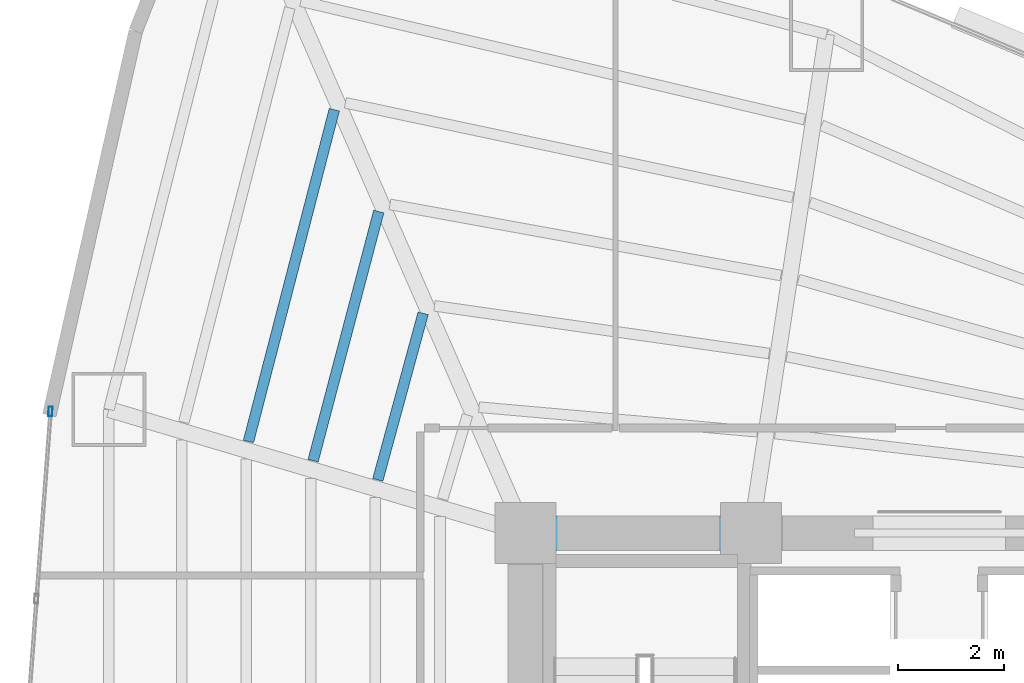
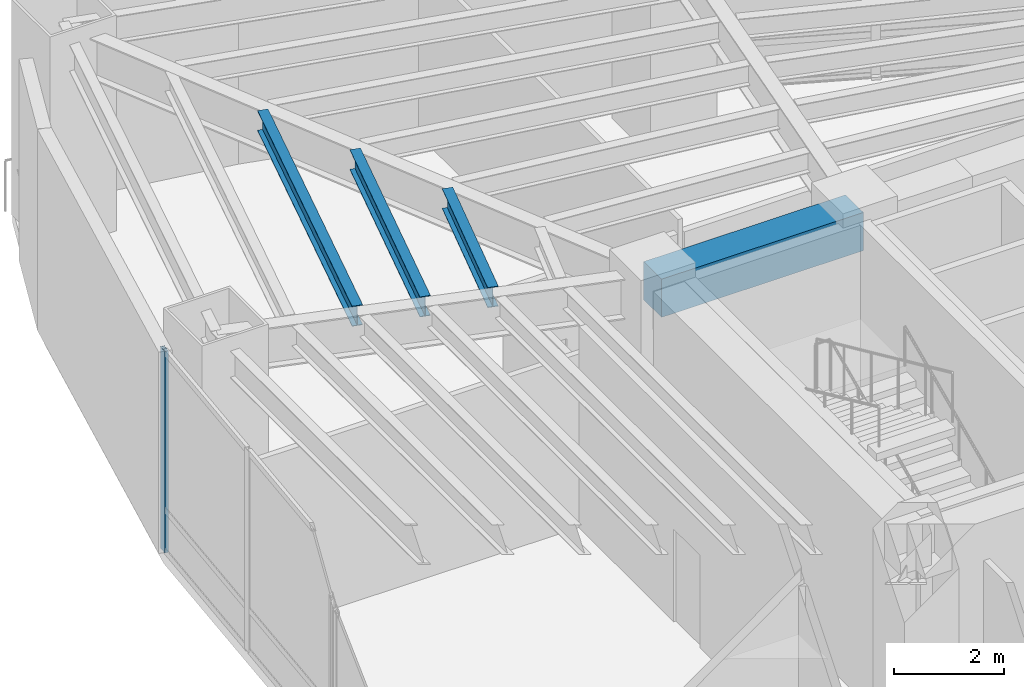
# One storey, part 8 of 18: 4 beams, 1 member, 1 element without a shape of its own.
"""IFC4 building model written with IfcOpenShell, lengths in metres."""

from ifc_helpers import new_model, si_unit, direction, frame, origin, origin_2d, place, context, subcontext, project, spatial, rectangle, hollow_rectangle, i_section, extrude, material, layer, layer_set, material_profile, profile_set, type_object, element, aggregate, save


model = new_model("IFC4")

# Units and contexts
model_context = context("Model", 3, precision=1e-05, world=origin(), true_north=direction((0.0, 1.0)))
body_context = subcontext(model_context, "Body", "Model", "MODEL_VIEW")
ifc_project = project(units=[si_unit("LENGTHUNIT", "METRE"), si_unit("AREAUNIT", "SQUARE_METRE"), si_unit("VOLUMEUNIT", "CUBIC_METRE"), si_unit("PLANEANGLEUNIT", "RADIAN"), si_unit("MASSUNIT", "GRAM", prefix="KILO")], contexts=[model_context])

# Site, building, storey
site_placement = place(None, origin())
site = spatial("IfcSite", under=ifc_project, at=site_placement, CompositionType="ELEMENT")
building_placement = place(site_placement, origin())
building = spatial("IfcBuilding", under=site, at=building_placement, Name="Menara Vayukalpa", CompositionType="ELEMENT")
storey_placement = place(building_placement, frame((0.0, 0.0, 18.0)))
storey = spatial("IfcBuildingStorey", under=building, at=storey_placement, Name="L03", CompositionType="ELEMENT", Elevation=18.0)

# Beams
ifc_material_1 = material(Name="Concrete C60/75", Category="concrete")
ifc_material_profile_1 = material_profile(ifc_material_1, rectangle(XDim=0.64990234375, YDim=0.85009765625, at=origin_2d()), Name="RC 650x850")
ifc_profile_set_1 = profile_set([ifc_material_profile_1], Name="Concrete C60/75")
beam_type_1 = type_object("IfcBeamType", Name="BM-CB1", PredefinedType="BEAM", material=ifc_profile_set_1)
beam_1_placement = place(storey_placement, frame((17.800048828125, 26.800048828125, 4.054931640625), z_axis=(1.0, 0.0, 0.0), x_axis=(0.0, 1.0, 0.0)))
element("IfcBeam", 1, at=beam_1_placement, inside=storey, type_object=beam_type_1, Name="L03 Core Tie Beam CBR4", PredefinedType="BEAM", context=body_context, shape_type="SweptSolid", body=[
    extrude(rectangle(XDim=0.64990234375, YDim=0.85009765625, at=origin_2d()), origin(), (0.0, 0.0, 1.0), 4.25),
])
ifc_material_2 = material(Name="Steel S355", Category="steel")
ifc_material_profile_2 = material_profile(ifc_material_2, i_section(OverallWidth=0.199951171875, OverallDepth=0.449951171875, WebThickness=0.009033203125, FlangeThickness=0.013916015625, at=origin_2d()), Name="WF 450x200x9x14")
ifc_profile_set_2 = profile_set([ifc_material_profile_2], Name="Steel S355")
beam_type_2 = type_object("IfcBeamType", Name="BM-SJ1", PredefinedType="JOIST", material=ifc_profile_set_2)
beam_2_placement = place(storey_placement, frame((15.873779296875, 30.941650390625, 4.2548828125), z_axis=(-0.262945960317, -0.964810562729, 0.0), x_axis=(0.964810562729, -0.262945960317, 0.0)))
element("IfcBeam", 2, at=beam_2_placement, inside=storey, type_object=beam_type_2, Name="L03 Secondary Floor Joist SJ04-2", PredefinedType="JOIST", context=body_context, shape_type="SweptSolid", body=[
    extrude(i_section(OverallWidth=0.199951171875, OverallDepth=0.449951171875, WebThickness=0.009033203125, FlangeThickness=0.013916015625, at=origin_2d()), origin(), (0.0, 0.0, 1.0), 3.25341796875),
])
beam_3_placement = place(storey_placement, frame((15.036865234375, 32.859619140625, 4.2548828125), z_axis=(-0.254819975699, -0.966988510782, 0.0), x_axis=(0.966988510782, -0.254819975699, 0.0)))
element("IfcBeam", 3, at=beam_3_placement, inside=storey, type_object=beam_type_2, Name="L03 Secondary Floor Joist SJ04-3", PredefinedType="JOIST", context=body_context, shape_type="SweptSolid", body=[
    extrude(i_section(OverallWidth=0.199951171875, OverallDepth=0.449951171875, WebThickness=0.009033203125, FlangeThickness=0.013916015625, at=origin_2d()), origin(), (0.0, 0.0, 1.0), 4.855712890625),
])
beam_4_placement = place(storey_placement, frame((14.19921875, 34.77783203125, 4.2548828125), z_axis=(-0.250533111623, -0.968108031152, 0.0), x_axis=(0.968108031152, -0.250533111623, 0.0)))
element("IfcBeam", 4, at=beam_4_placement, inside=storey, type_object=beam_type_2, Name="L03 Secondary Floor Joist SJ04-4", PredefinedType="JOIST", context=body_context, shape_type="SweptSolid", body=[
    extrude(i_section(OverallWidth=0.199951171875, OverallDepth=0.449951171875, WebThickness=0.009033203125, FlangeThickness=0.013916015625, at=origin_2d()), origin(), (0.0, 0.0, 1.0), 6.4580078125),
])

# Curtain wall, member
ifc_material_3 = material(Name="Anodised Terracotta Aluminium Alloy 6063-T6", Category="masonry")
ifc_layer = layer(ifc_material_3, 0.179931640625)
ifc_layer_set = layer_set([ifc_layer], Name="Anodised Terracotta Aluminium Alloy 6063-T6")
curtain_wall_type = type_object("IfcCurtainWallType", Name="CW-CW1", PredefinedType="USERDEFINED", material=ifc_layer_set)
curtain_wall_placement = place(storey_placement, origin())
curtain_wall = element("IfcCurtainWall", 5, at=curtain_wall_placement, inside=storey, type_object=curtain_wall_type, Name="L03 Podium Unitised Ribbon Curtain Wall CW1 10", ObjectType="UNITISED", PredefinedType="USERDEFINED")
ifc_material_4 = material(Name="Anodised Terracotta Aluminium Alloy 6063-T6", Category="masonry")
ifc_material_profile_3 = material_profile(ifc_material_4, hollow_rectangle(XDim=0.074951171875, YDim=0.179931640625, WallThickness=0.00390625, at=origin_2d()), Name="ALU 75x180x4")
ifc_profile_set_3 = profile_set([ifc_material_profile_3], Name="Anodised Terracotta Aluminium Alloy 6063-T6")
member_type = type_object("IfcMemberType", Name="CWM-CW1", PredefinedType="MULLION", material=ifc_profile_set_3)
member_placement = place(storey_placement, frame((8.84912109375, 29.091552734375, 0.0), z_axis=(0.0, 0.0, 1.0), x_axis=(0.997198970825, -0.074794468953, 0.0)))
member = element("IfcMember", 6, at=member_placement, type_object=member_type, Name="CW1 mullion 1", PredefinedType="MULLION", context=body_context, shape_type="SweptSolid", body=[
    extrude(hollow_rectangle(XDim=0.074951171875, YDim=0.179931640625, WallThickness=0.00390625, at=origin_2d()), origin(), (0.0, 0.0, 1.0), 4.47998046875),
])
aggregate(curtain_wall, [member])

save(model, "model.ifc")
